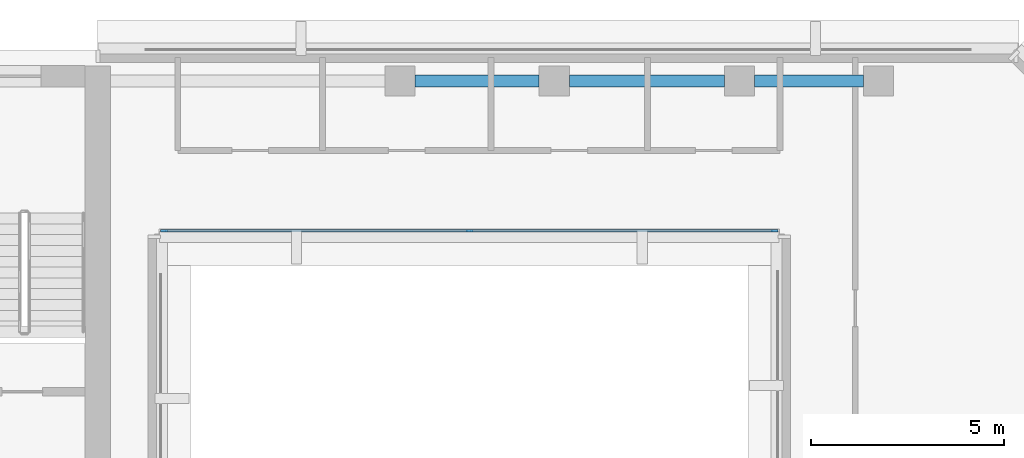
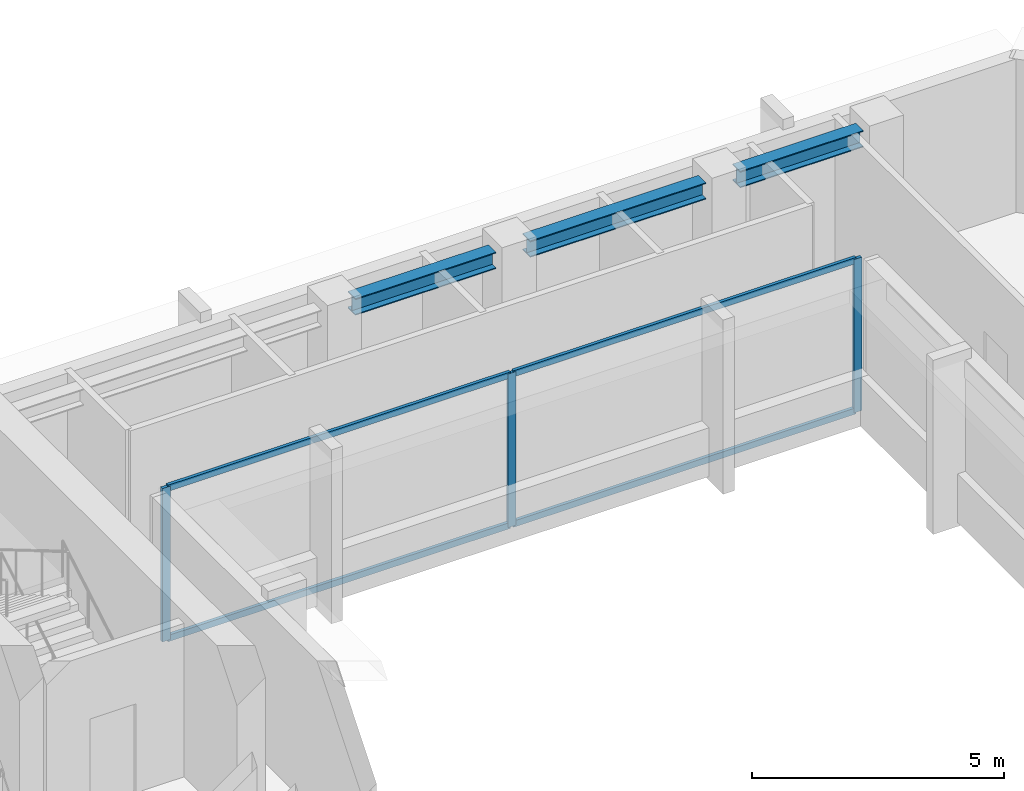
# One storey, part 4 of 11: 7 members, 3 beams, 1 element without a shape of its own.
"""IFC4 building model written with IfcOpenShell, lengths in metres."""

from ifc_helpers import new_model, si_unit, direction, frame, origin, origin_2d, place, context, subcontext, project, spatial, rectangle, i_section, extrude, material, layer, layer_set, material_profile, profile_set, type_object, element, aggregate, save


model = new_model("IFC4")

# Units and contexts
model_context = context("Model", 3, precision=1e-05, world=origin(), true_north=direction((0.0, 1.0)))
body_context = subcontext(model_context, "Body", "Model", "MODEL_VIEW")
ifc_project = project(units=[si_unit("LENGTHUNIT", "METRE"), si_unit("AREAUNIT", "SQUARE_METRE"), si_unit("VOLUMEUNIT", "CUBIC_METRE"), si_unit("PLANEANGLEUNIT", "RADIAN"), si_unit("MASSUNIT", "GRAM", prefix="KILO")], contexts=[model_context])

# Site, building, storey
site_placement = place(None, origin())
site = spatial("IfcSite", under=ifc_project, at=site_placement, CompositionType="ELEMENT")
building_placement = place(site_placement, origin())
building = spatial("IfcBuilding", under=site, at=building_placement, Name="Kefirva Bronze Tower", CompositionType="ELEMENT")
storey_placement = place(building_placement, frame((0.0, 0.0, 231.659912109375)))
storey = spatial("IfcBuildingStorey", under=building, at=storey_placement, Name="L56", CompositionType="ELEMENT", Elevation=231.659912109375)

# Curtain wall, members
ifc_material_1 = material(Name="Bronze anodised aluminium", Category="aluminium")
ifc_layer = layer(ifc_material_1, 0.179931640625, Name="Bronze anodised aluminium")
ifc_layer_set = layer_set([ifc_layer], Name="Bronze anodised aluminium")
curtain_wall_type = type_object("IfcCurtainWallType", Name="Unitised Bronze Ribbon Curtain Wall Zone 3", PredefinedType="USERDEFINED", material=ifc_layer_set)
curtain_wall_placement = place(storey_placement, origin())
curtain_wall = element("IfcCurtainWall", 1, at=curtain_wall_placement, inside=storey, type_object=curtain_wall_type, Name="L56 Curtain Wall 2", ObjectType="UNITISED CURTAIN WALL", PredefinedType="USERDEFINED")
ifc_material_profile_1 = material_profile(ifc_material_1, rectangle(XDim=0.074951171875, YDim=0.179931640625, at=origin_2d()), Name="ALU 75x180")
ifc_profile_set_1 = profile_set([ifc_material_profile_1], Name="Bronze anodised aluminium")
member_type_1 = type_object("IfcMemberType", Name="Bronze Mullion 75x180", PredefinedType="MULLION", material=ifc_profile_set_1)
member_1_placement = place(storey_placement, frame((25.092529296875, 41.320068359375, 0.0), z_axis=(0.0, 0.0, 1.0), x_axis=(0.0, 1.0, 0.0)))
member_1 = element("IfcMember", 2, at=member_1_placement, type_object=member_type_1, Name="CW-03 mullion 1", PredefinedType="MULLION", context=body_context, shape_type="SweptSolid", body=[
    extrude(rectangle(XDim=0.074951171875, YDim=0.179931640625, at=origin_2d()), origin(), (0.0, 0.0, 1.0), 3.710205078125),
])
member_2_placement = place(storey_placement, frame((33.0, 41.320068359375, 0.0), z_axis=(0.0, 0.0, 1.0), x_axis=(0.0, 1.0, 0.0)))
member_2 = element("IfcMember", 3, at=member_2_placement, type_object=member_type_1, Name="CW-03 mullion 2", PredefinedType="MULLION", context=body_context, shape_type="SweptSolid", body=[
    extrude(rectangle(XDim=0.074951171875, YDim=0.179931640625, at=origin_2d()), origin(), (0.0, 0.0, 1.0), 3.710205078125),
])
member_3_placement = place(storey_placement, frame((40.907470703125, 41.320068359375, 0.0), z_axis=(0.0, 0.0, 1.0), x_axis=(0.0, 1.0, 0.0)))
member_3 = element("IfcMember", 4, at=member_3_placement, type_object=member_type_1, Name="CW-03 mullion 3", PredefinedType="MULLION", context=body_context, shape_type="SweptSolid", body=[
    extrude(rectangle(XDim=0.074951171875, YDim=0.179931640625, at=origin_2d()), origin(), (0.0, 0.0, 1.0), 3.710205078125),
])
ifc_material_profile_2 = material_profile(ifc_material_1, rectangle(XDim=0.074951171875, YDim=0.14990234375, at=origin_2d()), Name="ALU 75x150")
ifc_profile_set_2 = profile_set([ifc_material_profile_2], Name="Bronze anodised aluminium")
member_type_2 = type_object("IfcMemberType", Name="Bronze Transom 75x150", PredefinedType="USERDEFINED", material=ifc_profile_set_2)
member_4_placement = place(storey_placement, frame((25.1298828125, 41.320068359375, 0.03759765625), z_axis=(1.0, 0.0, 0.0), x_axis=(0.0, 1.0, 0.0)))
member_4 = element("IfcMember", 5, at=member_4_placement, type_object=member_type_2, Name="CW-03 transom 1.1", ObjectType="TRANSOM", PredefinedType="USERDEFINED", context=body_context, shape_type="SweptSolid", body=[
    extrude(rectangle(XDim=0.074951171875, YDim=0.14990234375, at=origin_2d()), origin(), (0.0, 0.0, 1.0), 7.83251953125),
])
member_5_placement = place(storey_placement, frame((25.1298828125, 41.320068359375, 3.672607421875), z_axis=(1.0, 0.0, 0.0), x_axis=(0.0, 1.0, 0.0)))
member_5 = element("IfcMember", 6, at=member_5_placement, type_object=member_type_2, Name="CW-03 transom 1.2", ObjectType="TRANSOM", PredefinedType="USERDEFINED", context=body_context, shape_type="SweptSolid", body=[
    extrude(rectangle(XDim=0.074951171875, YDim=0.14990234375, at=origin_2d()), origin(), (0.0, 0.0, 1.0), 7.83251953125),
])
member_6_placement = place(storey_placement, frame((33.03759765625, 41.320068359375, 0.03759765625), z_axis=(1.0, 0.0, 0.0), x_axis=(0.0, 1.0, 0.0)))
member_6 = element("IfcMember", 7, at=member_6_placement, type_object=member_type_2, Name="CW-03 transom 2.1", ObjectType="TRANSOM", PredefinedType="USERDEFINED", context=body_context, shape_type="SweptSolid", body=[
    extrude(rectangle(XDim=0.074951171875, YDim=0.14990234375, at=origin_2d()), origin(), (0.0, 0.0, 1.0), 7.83251953125),
])
member_7_placement = place(storey_placement, frame((33.03759765625, 41.320068359375, 3.672607421875), z_axis=(1.0, 0.0, 0.0), x_axis=(0.0, 1.0, 0.0)))
member_7 = element("IfcMember", 8, at=member_7_placement, type_object=member_type_2, Name="CW-03 transom 2.2", ObjectType="TRANSOM", PredefinedType="USERDEFINED", context=body_context, shape_type="SweptSolid", body=[
    extrude(rectangle(XDim=0.074951171875, YDim=0.14990234375, at=origin_2d()), origin(), (0.0, 0.0, 1.0), 7.83251953125),
])
aggregate(curtain_wall, [member_1, member_2, member_3, member_4, member_5, member_6, member_7])

# Beams
ifc_material_2 = material(Name="Steel S355", Category="steel")
ifc_material_profile_3 = material_profile(ifc_material_2, i_section(OverallWidth=0.300048828125, OverallDepth=0.39990234375, WebThickness=0.013427734375, FlangeThickness=0.02392578125, at=origin_2d()), Name="HEB 400")
ifc_profile_set_3 = profile_set([ifc_material_profile_3], Name="Steel S355")
beam_type = type_object("IfcBeamType", Name="Steel Spandrel HEB 400 Ext", PredefinedType="SPANDREL", material=ifc_profile_set_3)
beam_1_placement = place(storey_placement, frame((31.590087890625, 45.199951171875, 3.510009765625), z_axis=(1.0, 0.0, 0.0), x_axis=(0.0, 1.0, 0.0)))
element("IfcBeam", 9, at=beam_1_placement, inside=storey, type_object=beam_type, Name="L56 BM-L56-EW-31-452", PredefinedType="SPANDREL", context=body_context, shape_type="SweptSolid", body=[
    extrude(i_section(OverallWidth=0.300048828125, OverallDepth=0.39990234375, WebThickness=0.013427734375, FlangeThickness=0.02392578125, at=origin_2d()), origin(), (0.0, 0.0, 1.0), 3.219970703125),
])
beam_2_placement = place(storey_placement, frame((35.590087890625, 45.199951171875, 3.510009765625), z_axis=(1.0, 0.0, 0.0), x_axis=(0.0, 1.0, 0.0)))
element("IfcBeam", 10, at=beam_2_placement, inside=storey, type_object=beam_type, Name="L56 BM-L56-EW-35-452", PredefinedType="SPANDREL", context=body_context, shape_type="SweptSolid", body=[
    extrude(i_section(OverallWidth=0.300048828125, OverallDepth=0.39990234375, WebThickness=0.013427734375, FlangeThickness=0.02392578125, at=origin_2d()), origin(), (0.0, 0.0, 1.0), 4.02001953125),
])
beam_3_placement = place(storey_placement, frame((40.389892578125, 45.199951171875, 3.510009765625), z_axis=(1.0, 0.0, 0.0), x_axis=(0.0, 1.0, 0.0)))
element("IfcBeam", 11, at=beam_3_placement, inside=storey, type_object=beam_type, Name="L56 BM-L56-EW-40-452", PredefinedType="SPANDREL", context=body_context, shape_type="SweptSolid", body=[
    extrude(i_section(OverallWidth=0.300048828125, OverallDepth=0.39990234375, WebThickness=0.013427734375, FlangeThickness=0.02392578125, at=origin_2d()), origin(), (0.0, 0.0, 1.0), 2.820068359375),
])

save(model, "model.ifc")
